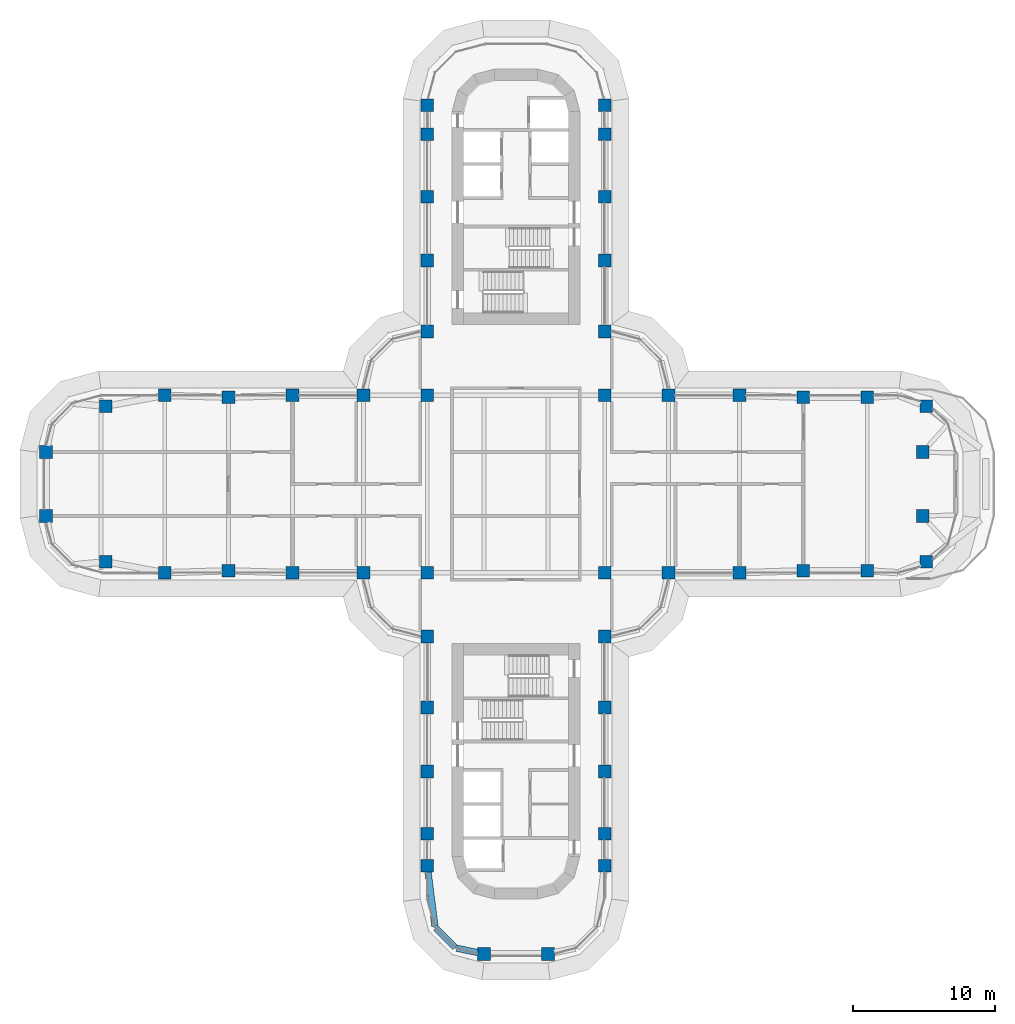
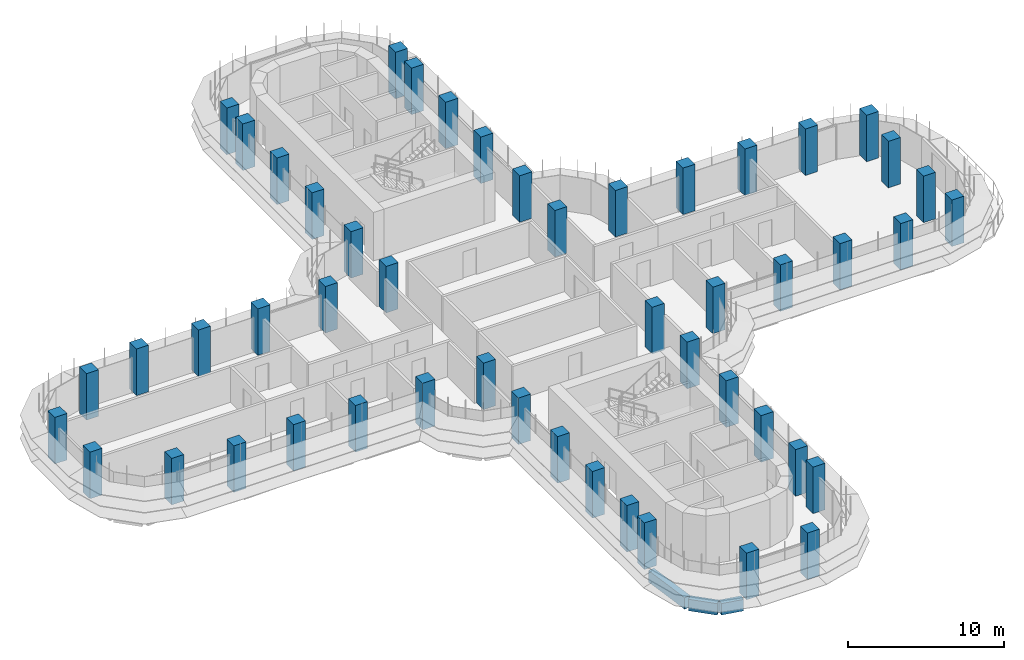
# One storey, part 1 of 22: 50 columns, 3 beams.
"""IFC4 building model written with IfcOpenShell, lengths in metres."""

import ifcopenshell
import ifcopenshell.guid

model = None  # the IFC model being written
_history = None  # IfcOwnerHistory: only IFC2X3 demands one
_inside = {}  # id of a spatial element -> (the spatial element, [elements in it])
_under = {}  # id of a project, library or spatial element -> (it, [spatial elements below it])
_declared = {}  # id of a project -> (the project, [libraries it declares])
_typed = {}  # id of a type object -> (the type object, [elements of that type])
_made_of = {}  # id of a material, layer set ... -> (it, [elements and type objects made of it])


def new_model(schema):
    """Start an empty IFC model of exactly this schema.

    Asked for "IFC4X3", IfcOpenShell would pick the latest addendum, in which some entities
    have other attributes; the version numbers below select the first issue.
    IFC2X3 requires an IfcOwnerHistory on every rooted entity: one is made here for all.
    """
    global model, _history
    if schema == "IFC4X3":
        model = ifcopenshell.file(schema_version=(4, 3, 0, 0))
    else:
        model = ifcopenshell.file(schema=schema)
    _inside.clear()
    _under.clear()
    _declared.clear()
    _typed.clear()
    _made_of.clear()
    _history = None
    if model.schema == "IFC2X3":
        org = make("IfcOrganization", Name="unknown")
        user = make(
            "IfcPersonAndOrganization",
            ThePerson=make("IfcPerson", FamilyName="unknown"),
            TheOrganization=org,
        )
        app = make(
            "IfcApplication",
            ApplicationDeveloper=org,
            Version="unknown",
            ApplicationFullName="unknown",
            ApplicationIdentifier="unknown",
        )
        _history = make(
            "IfcOwnerHistory",
            OwningUser=user,
            OwningApplication=app,
            ChangeAction="ADDED",
            CreationDate=0,
        )
    return model


def make(cls, **values):
    """One entity of the class cls with the attributes given. An attribute that is None is left unset."""
    return model.create_entity(
        cls, **{name: value for name, value in values.items() if value is not None}
    )


def rooted(cls, **values):
    """An entity with a GlobalId (a new one), such as an element, a storey or a relation."""
    return make(cls, GlobalId=ifcopenshell.guid.new(), OwnerHistory=_history, **values)


def si_unit(unit_type, name, prefix=None):
    """IfcSIUnit, for example si_unit("LENGTHUNIT", "METRE", prefix="MILLI")."""
    return make("IfcSIUnit", UnitType=unit_type, Prefix=prefix, Name=name)


def assignment(units):
    """IfcUnitAssignment: the units of a project."""
    return None if units is None else make("IfcUnitAssignment", Units=units)


def point(xyz):
    """IfcCartesianPoint."""
    return None if xyz is None else make("IfcCartesianPoint", Coordinates=xyz)


def direction(xyz):
    """IfcDirection."""
    return None if xyz is None else make("IfcDirection", DirectionRatios=xyz)


def frame(location, z_axis=None, x_axis=None):
    """IfcAxis2Placement3D, a coordinate frame: its origin and axes. An axis left out is left unset."""
    return make(
        "IfcAxis2Placement3D",
        Location=point(location),
        Axis=direction(z_axis),
        RefDirection=direction(x_axis),
    )


def frame_2d(location, x_axis=None):
    """IfcAxis2Placement2D, a coordinate frame in the plane: its origin and x axis."""
    return make(
        "IfcAxis2Placement2D", Location=point(location), RefDirection=direction(x_axis)
    )


def origin():
    """The frame at (0, 0, 0) with its axes left unset."""
    return frame((0.0, 0.0, 0.0))


def origin_2d():
    """The frame at (0, 0) in the plane with its x axis left unset."""
    return frame_2d((0.0, 0.0))


def place(relative_to, where):
    """IfcLocalPlacement: puts the frame where relative to a parent placement (None: the world)."""
    return make(
        "IfcLocalPlacement", PlacementRelTo=relative_to, RelativePlacement=where
    )


def context(
    kind, dimensions, precision=None, world=None, true_north=None, identifier=None
):
    """IfcGeometricRepresentationContext, for example the 3D "Model" context."""
    return make(
        "IfcGeometricRepresentationContext",
        ContextIdentifier=identifier,
        ContextType=kind,
        CoordinateSpaceDimension=dimensions,
        Precision=precision,
        WorldCoordinateSystem=world,
        TrueNorth=true_north,
    )


def subcontext(parent, identifier, kind, view, scale=None):
    """IfcGeometricRepresentationSubContext, for example "Body" below "Model"."""
    return make(
        "IfcGeometricRepresentationSubContext",
        ContextIdentifier=identifier,
        ContextType=kind,
        ParentContext=parent,
        TargetScale=scale,
        TargetView=view,
    )


def project(units=None, contexts=None):
    """IfcProject with its units and contexts."""
    return rooted(
        "IfcProject",
        Name="project",
        RepresentationContexts=contexts,
        UnitsInContext=assignment(units),
    )


def spatial(cls, under=None, at=None, **own):
    """A site, building, storey or space (cls), placed at a placement, below another one or the project."""
    s = rooted(cls, ObjectPlacement=at, **own)
    if under is not None:
        _under.setdefault(under.id(), (under, []))[1].append(s)
    return s


def profile(cls, at=None, kind="AREA", **sizes):
    """A parametric profile (cls). Its sizes go by their IFC names, for example OverallWidth=200.0."""
    return make(cls, ProfileType=kind, Position=at, **sizes)


def rectangle(**sizes):
    """IfcRectangleProfileDef."""
    return profile("IfcRectangleProfileDef", **sizes)


def extrude(swept, where, along, depth):
    """IfcExtrudedAreaSolid: the profile swept, set in the frame where, extruded along a direction by depth."""
    return make(
        "IfcExtrudedAreaSolid",
        SweptArea=swept,
        Position=where,
        ExtrudedDirection=direction(along),
        Depth=depth,
    )


def shape(context_of_items, identifier, shape_type, items):
    """IfcShapeRepresentation: the items that make up one representation, for example the "Body"."""
    return make(
        "IfcShapeRepresentation",
        ContextOfItems=context_of_items,
        RepresentationIdentifier=identifier,
        RepresentationType=shape_type,
        Items=items,
    )


def material(Name=None, Category=None):
    """IfcMaterial."""
    return make("IfcMaterial", Name=Name, Category=Category)


def material_profile(
    of_material, cross_section, Name=None, Category=None, Priority=None
):
    """IfcMaterialProfile: a cross section and its material."""
    return make(
        "IfcMaterialProfile",
        Name=Name,
        Material=of_material,
        Profile=cross_section,
        Priority=Priority,
        Category=Category,
    )


def profile_set(profiles, Name=None, composite=None):
    """IfcMaterialProfileSet."""
    return make(
        "IfcMaterialProfileSet",
        Name=Name,
        MaterialProfiles=profiles,
        CompositeProfile=composite,
    )


def made_of(thing, what):
    """Note that an element or type object is made of a material, layer set ...; save() writes the relation."""
    if what is not None:
        _made_of.setdefault(what.id(), (what, []))[1].append(thing)
    return thing


def type_object(cls, material=None, **own):
    """A type object (cls), such as IfcWallType, which elements share."""
    return made_of(rooted(cls, **own), material)


def element(
    cls,
    number,
    at=None,
    inside=None,
    cuts=None,
    type_object=None,
    material=None,
    context=None,
    identifier="Body",
    shape_type=None,
    held_by="IfcProductDefinitionShape",
    body=None,
    shapes=None,
    **own,
):
    """One element of the class cls, such as IfcWall. Its Tag is "e" and its number.

    at: its placement. inside: the storey or other place that contains it. cuts: it is an
    opening in that element (IfcRelVoidsElement). A single representation is given by context,
    identifier, shape_type and body (its items); several are given by shapes. held_by: the class
    of the entity that holds the representations. save() writes the other relations.
    """
    e = rooted(cls, Tag="e%d" % number, ObjectPlacement=at, **own)
    if body is not None:
        shapes = [shape(context, identifier, shape_type, body)]
    if shapes is not None:
        e.Representation = make(held_by, Representations=shapes)
    if inside is not None:
        _inside.setdefault(inside.id(), (inside, []))[1].append(e)
    if cuts is not None:
        rooted(
            "IfcRelVoidsElement", RelatingBuildingElement=cuts, RelatedOpeningElement=e
        )
    if type_object is not None:
        _typed.setdefault(type_object.id(), (type_object, []))[1].append(e)
    return made_of(e, material)


def aggregate(whole, parts):
    """IfcRelAggregates: a whole, such as a stair, and the parts it consists of."""
    return rooted("IfcRelAggregates", RelatingObject=whole, RelatedObjects=parts)


def save(model, path):
    """Write the relations noted so far, then the file.

    IfcRelAggregates (storeys below a building ...), IfcRelContainedInSpatialStructure (elements
    in a storey), IfcRelDefinesByType, IfcRelAssociatesMaterial and IfcRelDeclares: one each for
    every whole, place, type object, material and project.
    """
    for whole, parts in _under.values():
        aggregate(whole, parts)
    for where, things in _inside.values():
        rooted(
            "IfcRelContainedInSpatialStructure",
            RelatedElements=things,
            RelatingStructure=where,
        )
    for kind, things in _typed.values():
        rooted("IfcRelDefinesByType", RelatedObjects=things, RelatingType=kind)
    for what, things in _made_of.values():
        rooted("IfcRelAssociatesMaterial", RelatedObjects=things, RelatingMaterial=what)
    for by, libraries in _declared.values():
        rooted("IfcRelDeclares", RelatingContext=by, RelatedDefinitions=libraries)
    model.write(path)


model = new_model("IFC4")

# Units and contexts
model_context = context("Model", 3, precision=1e-05, world=origin(), true_north=direction((0.0, 1.0)))
body_context = subcontext(model_context, "Body", "Model", "MODEL_VIEW")
ifc_project = project(units=[si_unit("LENGTHUNIT", "METRE"), si_unit("AREAUNIT", "SQUARE_METRE"), si_unit("VOLUMEUNIT", "CUBIC_METRE"), si_unit("PLANEANGLEUNIT", "RADIAN"), si_unit("MASSUNIT", "GRAM", prefix="KILO")], contexts=[model_context])

# Site, building, storey
site_placement = place(None, origin())
site = spatial("IfcSite", under=ifc_project, at=site_placement, CompositionType="ELEMENT")
building_placement = place(site_placement, origin())
building = spatial("IfcBuilding", under=site, at=building_placement, Name="Zarbagh Exchange Tower", CompositionType="ELEMENT")
storey_placement = place(building_placement, frame((0.0, 0.0, 124.60009765625)))
storey = spatial("IfcBuildingStorey", under=building, at=storey_placement, Name="L29", CompositionType="ELEMENT", Elevation=124.60009765625)

# Columns
ifc_material = material(Name="Concrete C60/75", Category="concrete")
ifc_material_profile_1 = material_profile(ifc_material, rectangle(XDim=0.89990234375, YDim=0.89990234375, at=origin_2d()), Name="RC column 900 x 900 C60/75")
ifc_profile_set_1 = profile_set([ifc_material_profile_1], Name="Concrete C60/75")
column_type = type_object("IfcColumnType", Name="RC column 900 x 900 C60/75", PredefinedType="COLUMN", material=ifc_profile_set_1)
for number, where, z_axis, x_axis, name in (
    (1, (-33.110107421875, -2.25, 0.0), (0.0, 0.0, 1.0), (1.0, 0.0, 0.0), "C3 10/S"),
    (2, (-33.110107421875, 2.25, 0.0), (0.0, 0.0, 1.0), (1.0, 0.0, 0.0), "C3 10/T"),
    (3, (-28.907958984375, -5.47509765625, 0.0), (0.0, 0.0, 1.0), (1.0, 0.0, 0.0), "C3 11/R"),
    (4, (-28.907958984375, 5.47509765625, 0.0), (0.0, 0.0, 1.0), (1.0, 0.0, 0.0), "C3 11/U"),
    (5, (-24.75, -6.25, 0.0), (0.0, 0.0, 1.0), (1.0, 0.0, 0.0), "C3 12/R"),
    (6, (-24.75, 6.25, 0.0), (0.0, 0.0, 1.0), (1.0, 0.0, 0.0), "C3 12/U"),
    (7, (-20.25, -6.110107421875, 0.0), (0.0, 0.0, 1.0), (1.0, 0.0, 0.0), "C3 13/R"),
    (8, (-20.25, 6.110107421875, 0.0), (0.0, 0.0, 1.0), (1.0, 0.0, 0.0), "C3 13/U"),
    (9, (-15.75, -6.25, 0.0), (0.0, 0.0, 1.0), (1.0, 0.0, 0.0), "C3 14/R"),
    (10, (-15.75, 6.25, 0.0), (0.0, 0.0, 1.0), (1.0, 0.0, 0.0), "C3 14/U"),
    (11, (-10.75, -6.25, 0.0), (0.0, 0.0, 1.0), (1.0, 0.0, 0.0), "C3 15/R"),
    (12, (-10.75, 6.25, 0.0), (0.0, 0.0, 1.0), (1.0, 0.0, 0.0), "C3 15/U"),
    (13, (-6.25, -26.89990234375, 0.0), (0.0, 0.0, 1.0), (1.0, 0.0, 0.0), "C3 16/L"),
    (14, (-6.25, -24.64990234375, 0.0), (0.0, 0.0, 1.0), (1.0, 0.0, 0.0), "C3 16/M"),
    (15, (-6.25, -20.25, 0.0), (0.0, 0.0, 1.0), (1.0, 0.0, 0.0), "C3 16/N"),
    (16, (-6.25, -15.75, 0.0), (0.0, 0.0, 1.0), (1.0, 0.0, 0.0), "C3 16/P"),
    (17, (-6.25, -10.75, 0.0), (0.0, 0.0, 1.0), (1.0, 0.0, 0.0), "C3 16/Q"),
    (18, (-6.25, -6.25, 0.0), (0.0, 0.0, 1.0), (1.0, 0.0, 0.0), "C3 16/R"),
    (19, (-6.25, 6.25, 0.0), (0.0, 0.0, 1.0), (1.0, 0.0, 0.0), "C3 16/U"),
    (20, (-6.25, 10.75, 0.0), (0.0, 0.0, 1.0), (1.0, 0.0, 0.0), "C3 16/V"),
    (21, (-6.25, 15.75, 0.0), (0.0, 0.0, 1.0), (1.0, 0.0, 0.0), "C3 16/W"),
    (22, (-6.25, 20.25, 0.0), (0.0, 0.0, 1.0), (1.0, 0.0, 0.0), "C3 16/X"),
    (23, (-6.25, 24.64990234375, 0.0), (0.0, 0.0, 1.0), (1.0, 0.0, 0.0), "C3 16/Y"),
    (24, (-6.25, 26.699951171875, 0.0), (0.0, 0.0, 1.0), (1.0, 0.0, 0.0), "C3 16/Z"),
    (25, (-2.25, -33.110107421875, 0.0), (0.0, 0.0, 1.0), (1.0, 0.0, 0.0), "C3 17/K"),
    (26, (2.25, -33.110107421875, 0.0), (0.0, 0.0, 1.0), (1.0, 0.0, 0.0), "C3 18/K"),
    (27, (6.25, -26.89990234375, 0.0), (0.0, 0.0, 1.0), (1.0, 0.0, 0.0), "C3 19/L"),
    (28, (6.25, -24.64990234375, 0.0), (0.0, 0.0, 1.0), (1.0, 0.0, 0.0), "C3 19/M"),
    (29, (6.25, -20.25, 0.0), (0.0, 0.0, 1.0), (1.0, 0.0, 0.0), "C3 19/N"),
    (30, (6.25, -15.75, 0.0), (0.0, 0.0, 1.0), (1.0, 0.0, 0.0), "C3 19/P"),
    (31, (6.25, -10.75, 0.0), (0.0, 0.0, 1.0), (1.0, 0.0, 0.0), "C3 19/Q"),
    (32, (6.25, -6.25, 0.0), (0.0, 0.0, 1.0), (1.0, 0.0, 0.0), "C3 19/R"),
    (33, (6.25, 6.25, 0.0), (0.0, 0.0, 1.0), (1.0, 0.0, 0.0), "C3 19/U"),
    (34, (6.25, 10.75, 0.0), (0.0, 0.0, 1.0), (1.0, 0.0, 0.0), "C3 19/V"),
    (35, (6.25, 15.75, 0.0), (0.0, 0.0, 1.0), (1.0, 0.0, 0.0), "C3 19/W"),
    (36, (6.25, 20.25, 0.0), (0.0, 0.0, 1.0), (1.0, 0.0, 0.0), "C3 19/X"),
    (37, (6.25, 24.64990234375, 0.0), (0.0, 0.0, 1.0), (1.0, 0.0, 0.0), "C3 19/Y"),
    (38, (6.25, 26.699951171875, 0.0), (0.0, 0.0, 1.0), (1.0, 0.0, 0.0), "C3 19/Z"),
    (39, (10.75, -6.25, 0.0), (0.0, 0.0, 1.0), (1.0, 0.0, 0.0), "C3 20/R"),
    (40, (10.75, 6.25, 0.0), (0.0, 0.0, 1.0), (1.0, 0.0, 0.0), "C3 20/U"),
    (41, (15.75, -6.25, 0.0), (0.0, 0.0, 1.0), (1.0, 0.0, 0.0), "C3 21/R"),
    (42, (15.75, 6.25, 0.0), (0.0, 0.0, 1.0), (1.0, 0.0, 0.0), "C3 21/U"),
    (43, (20.25, -6.110107421875, 0.0), (0.0, 0.0, 1.0), (1.0, 0.0, 0.0), "C3 22/R"),
    (44, (20.25, 6.110107421875, 0.0), (0.0, 0.0, 1.0), (1.0, 0.0, 0.0), "C3 22/U"),
    (45, (24.75, -6.110107421875, 0.0), (0.0, 0.0, 1.0), (1.0, 0.0, 0.0), "C3 23/R"),
    (46, (24.75, 6.110107421875, 0.0), (0.0, 0.0, 1.0), (1.0, 0.0, 0.0), "C3 23/U"),
    (47, (28.907958984375, -5.47509765625, 0.0), (0.0, 0.0, 1.0), (1.0, 0.0, 0.0), "C3 24/R"),
    (48, (28.669921875, -2.25, 0.0), (0.0, 0.0, 1.0), (1.0, 0.0, 0.0), "C3 24/S"),
    (49, (28.669921875, 2.25, 0.0), (0.0, 0.0, 1.0), (1.0, 0.0, 0.0), "C3 24/T"),
    (50, (28.907958984375, 5.47509765625, 0.0), (0.0, 0.0, 1.0), (1.0, 0.0, 0.0), "C3 24/U"),
):
    element("IfcColumn", number, at=place(storey_placement, frame(where, z_axis=z_axis, x_axis=x_axis)), inside=storey, type_object=column_type, Name=name, PredefinedType="COLUMN", context=body_context, shape_type="SweptSolid", body=[
        extrude(rectangle(XDim=0.89990234375, YDim=0.89990234375, at=origin_2d()), origin(), (0.0, 0.0, 1.0), 3.64990234375),
    ])

# Beams
ifc_material_profile_2 = material_profile(ifc_material, rectangle(XDim=0.449951171875, YDim=0.89990234375, at=origin_2d()), Name="RC spandrel beam 450 x 900 C60/75")
ifc_profile_set_2 = profile_set([ifc_material_profile_2], Name="Concrete C60/75")
beam_type = type_object("IfcBeamType", Name="RC spandrel beam 450 x 900 C60/75", PredefinedType="SPANDREL", material=ifc_profile_set_2)
beam_1_placement = place(storey_placement, frame((-2.690673828125, -33.01904296875, -0.60009765625), z_axis=(-0.979328675816, 0.202275417995, 0.0), x_axis=(-0.202275417995, -0.979328675816, 0.0)))
element("IfcBeam", 51, at=beam_1_placement, inside=storey, type_object=beam_type, Name="RC spandrel beam", PredefinedType="SPANDREL", context=body_context, shape_type="SweptSolid", body=[
    extrude(rectangle(XDim=0.449951171875, YDim=0.89990234375, at=origin_2d()), origin(), (0.0, 0.0, 1.0), 1.515869140625),
])
beam_2_placement = place(storey_placement, frame((-4.288818359375, -32.651123046875, -0.60009765625), z_axis=(-0.707106781187, 0.707106781187, 0.0), x_axis=(-0.707106781187, -0.707106781187, 0.0)))
element("IfcBeam", 52, at=beam_2_placement, inside=storey, type_object=beam_type, Name="RC spandrel beam", PredefinedType="SPANDREL", context=body_context, shape_type="SweptSolid", body=[
    extrude(rectangle(XDim=0.449951171875, YDim=0.89990234375, at=origin_2d()), origin(), (0.0, 0.0, 1.0), 1.9169921875),
])
beam_3_placement = place(storey_placement, frame((-5.70849609375, -31.164794921875, -0.60009765625), z_axis=(-0.12597055537, 0.992033980859, 0.0), x_axis=(-0.992033980859, -0.12597055537, 0.0)))
element("IfcBeam", 53, at=beam_3_placement, inside=storey, type_object=beam_type, Name="RC spandrel beam", PredefinedType="SPANDREL", context=body_context, shape_type="SweptSolid", body=[
    extrude(rectangle(XDim=0.449951171875, YDim=0.89990234375, at=origin_2d()), origin(), (0.0, 0.0, 1.0), 3.84912109375),
])

save(model, "model.ifc")
